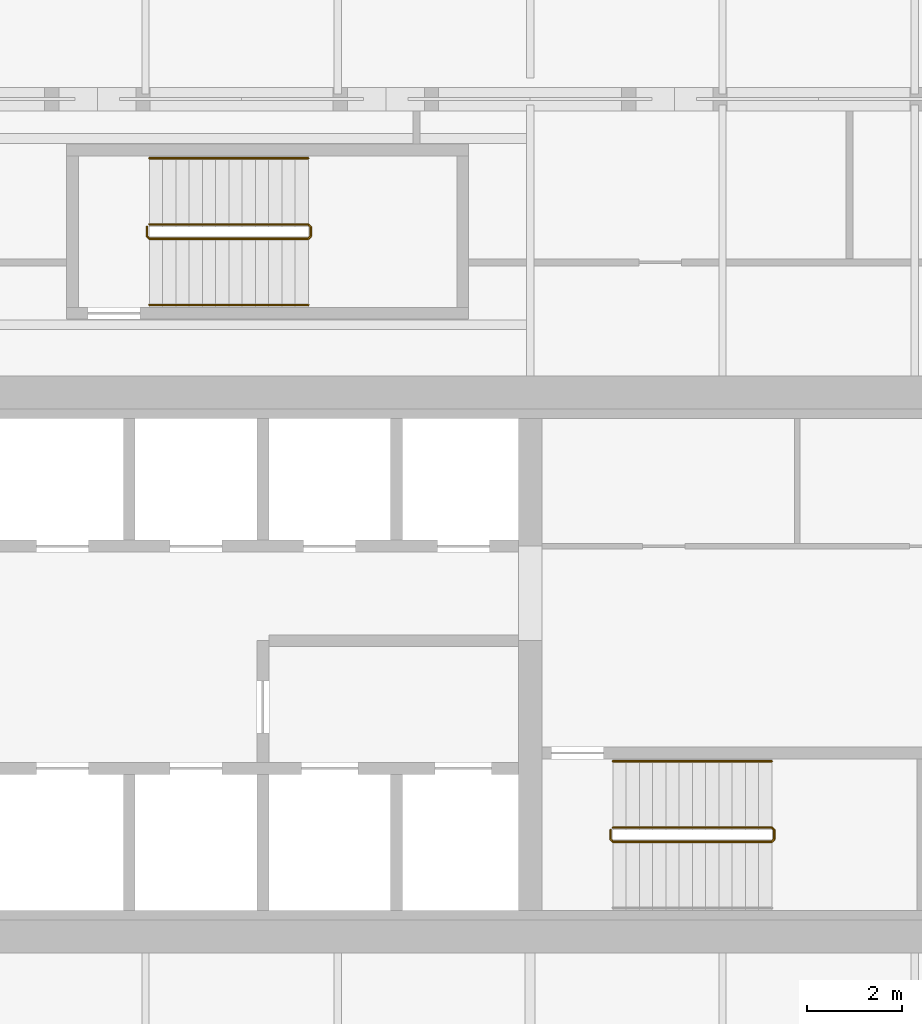
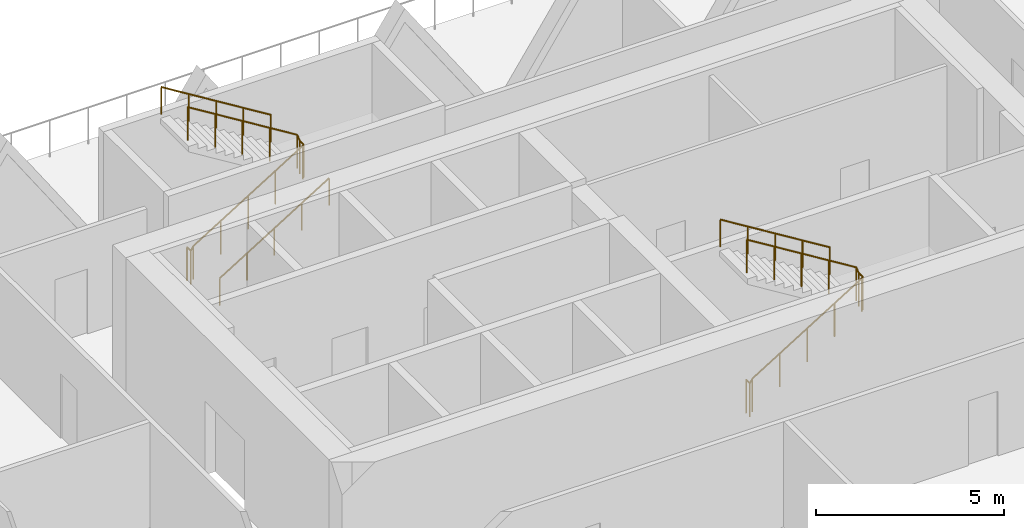
# One storey, part 21 of 21: 5 railings.
"""IFC4 building model written with IfcOpenShell, lengths in metres."""

from ifc_helpers import new_model, si_unit, direction, frame, origin, origin_2d, place, context, subcontext, project, spatial, circle, extrude, material, type_object, element, save


model = new_model("IFC4")

# Units and contexts
model_context = context("Model", 3, precision=1e-05, world=origin(), true_north=direction((0.0, 1.0)))
body_context = subcontext(model_context, "Body", "Model", "MODEL_VIEW")
ifc_project = project(units=[si_unit("LENGTHUNIT", "METRE"), si_unit("AREAUNIT", "SQUARE_METRE"), si_unit("VOLUMEUNIT", "CUBIC_METRE"), si_unit("PLANEANGLEUNIT", "RADIAN"), si_unit("MASSUNIT", "GRAM", prefix="KILO")], contexts=[model_context])

# Site, building, storey
site_placement = place(None, origin())
site = spatial("IfcSite", under=ifc_project, at=site_placement, CompositionType="ELEMENT")
building_placement = place(site_placement, origin())
building = spatial("IfcBuilding", under=site, at=building_placement, Name="Tessera Gate Towers", CompositionType="ELEMENT")
storey_placement = place(building_placement, frame((0.0, 0.0, 16.800048828125)))
storey = spatial("IfcBuildingStorey", under=building, at=storey_placement, Name="L03", CompositionType="ELEMENT", Elevation=16.800048828125)

# Railings
ifc_material_1 = material(Name="Steel 350W", Category="steel")
railing_type_1 = type_object("IfcRailingType", Name="STAIR GUARD 1100", PredefinedType="GUARDRAIL", material=ifc_material_1)
railing_1_placement = place(storey_placement, frame((111.5, 39.199951171875, 0.0)))
element("IfcRailing", 1, at=railing_1_placement, inside=storey, type_object=railing_type_1, Name="L03 ST6 stair guard 1", PredefinedType="GUARDRAIL", context=body_context, shape_type="SweptSolid", body=[
    extrude(circle(Radius=0.02392578125, at=origin_2d()), frame((0.0, 0.0, 1.076171875), z_axis=(0.0, -1.0, 0.0), x_axis=(1.0, 0.0, 0.0)), (0.0, 0.0, 1.0), 0.199951171875),
    extrude(circle(Radius=0.02392578125, at=origin_2d()), frame((0.0, -0.199951171875, 1.076171875), z_axis=(0.267629722418, -0.267629722418, 0.925607186314), x_axis=(0.707106781187, 0.707106781187, 0.0)), (0.0, 0.0, 1.0), 0.18701171875),
    extrude(circle(Radius=0.02392578125, at=origin_2d()), frame((0.050048828125, -0.25, 1.2490234375), z_axis=(0.850606129759, 0.0, 0.525803396734), x_axis=(0.0, 1.0, 0.0)), (0.0, 0.0, 1.0), 3.949951171875),
    extrude(circle(Radius=0.02392578125, at=origin_2d()), frame((3.409912109375, -0.25, 3.326171875), z_axis=(0.707106781187, 0.707106781187, 0.0), x_axis=(-0.707106781187, 0.707106781187, 0.0)), (0.0, 0.0, 1.0), 0.07080078125),
    extrude(circle(Radius=0.02392578125, at=origin_2d()), frame((3.4599609375, -0.199951171875, 3.326171875), z_axis=(0.0, 1.0, 0.0), x_axis=(-1.0, 0.0, 0.0)), (0.0, 0.0, 1.0), 0.199951171875),
    extrude(circle(Radius=0.02392578125, at=origin_2d()), frame((3.4599609375, 0.0, 3.326171875), z_axis=(-0.267629722418, 0.267629722418, 0.925607186314), x_axis=(-0.707106781187, -0.707106781187, 0.0)), (0.0, 0.0, 1.0), 0.18701171875),
    extrude(circle(Radius=0.02392578125, at=origin_2d()), frame((3.409912109375, 0.050048828125, 3.4990234375), z_axis=(-0.850606129759, 0.0, 0.525803396734), x_axis=(0.0, -1.0, 0.0)), (0.0, 0.0, 1.0), 3.949951171875),
    extrude(circle(Radius=0.02099609375, at=origin_2d()), origin(), (0.0, 0.0, 1.0), 1.052001953125),
    extrude(circle(Radius=0.02099609375, at=origin_2d()), frame((0.0, -0.199951171875, 0.0)), (0.0, 0.0, 1.0), 1.052001953125),
    extrude(circle(Radius=0.02099609375, at=origin_2d()), frame((0.050048828125, -0.25, 0.173095703125)), (0.0, 0.0, 1.0), 1.052001953125),
    extrude(circle(Radius=0.02099609375, at=origin_2d()), frame((0.89013671875, -0.25, 0.6923828125)), (0.0, 0.0, 1.0), 1.052001953125),
    extrude(circle(Radius=0.02099609375, at=origin_2d()), frame((1.72998046875, -0.25, 1.21142578125)), (0.0, 0.0, 1.0), 1.052001953125),
    extrude(circle(Radius=0.02099609375, at=origin_2d()), frame((2.56982421875, -0.25, 1.730712890625)), (0.0, 0.0, 1.0), 1.052001953125),
    extrude(circle(Radius=0.02099609375, at=origin_2d()), frame((3.409912109375, -0.25, 2.25)), (0.0, 0.0, 1.0), 1.052001953125),
    extrude(circle(Radius=0.02099609375, at=origin_2d()), frame((3.4599609375, -0.199951171875, 2.25)), (0.0, 0.0, 1.0), 1.052001953125),
    extrude(circle(Radius=0.02099609375, at=origin_2d()), frame((3.4599609375, 0.0, 2.25)), (0.0, 0.0, 1.0), 1.052001953125),
    extrude(circle(Radius=0.02099609375, at=origin_2d()), frame((3.409912109375, 0.050048828125, 2.423095703125)), (0.0, 0.0, 1.0), 1.052001953125),
    extrude(circle(Radius=0.02099609375, at=origin_2d()), frame((2.56982421875, 0.050048828125, 2.9423828125)), (0.0, 0.0, 1.0), 1.052001953125),
    extrude(circle(Radius=0.02099609375, at=origin_2d()), frame((1.72998046875, 0.050048828125, 3.46142578125)), (0.0, 0.0, 1.0), 1.052001953125),
    extrude(circle(Radius=0.02099609375, at=origin_2d()), frame((0.89013671875, 0.050048828125, 3.980712890625)), (0.0, 0.0, 1.0), 1.052001953125),
    extrude(circle(Radius=0.02099609375, at=origin_2d()), frame((0.050048828125, 0.050048828125, 4.5)), (0.0, 0.0, 1.0), 1.052001953125),
])
railing_2_placement = place(storey_placement, frame((101.699951171875, 51.949951171875, 0.0)))
element("IfcRailing", 2, at=railing_2_placement, inside=storey, type_object=railing_type_1, Name="L03 ST7 stair guard 1", PredefinedType="GUARDRAIL", context=body_context, shape_type="SweptSolid", body=[
    extrude(circle(Radius=0.02392578125, at=origin_2d()), frame((0.0, 0.0, 1.076171875), z_axis=(0.0, -1.0, 0.0), x_axis=(1.0, 0.0, 0.0)), (0.0, 0.0, 1.0), 0.199951171875),
    extrude(circle(Radius=0.02392578125, at=origin_2d()), frame((0.0, -0.199951171875, 1.076171875), z_axis=(0.267629722418, -0.267629722418, 0.925607186314), x_axis=(0.707106781187, 0.707106781187, 0.0)), (0.0, 0.0, 1.0), 0.18701171875),
    extrude(circle(Radius=0.02392578125, at=origin_2d()), frame((0.050048828125, -0.25, 1.2490234375), z_axis=(0.850623216509, 0.0, 0.525775754039), x_axis=(0.0, 1.0, 0.0)), (0.0, 0.0, 1.0), 3.9501953125),
    extrude(circle(Radius=0.02392578125, at=origin_2d()), frame((3.41015625, -0.25, 3.326171875), z_axis=(0.705375805398, 0.708833529934, 0.0), x_axis=(-0.708833529934, 0.705375805398, 0.0)), (0.0, 0.0, 1.0), 0.070556640625),
    extrude(circle(Radius=0.02392578125, at=origin_2d()), frame((3.4599609375, -0.199951171875, 3.326171875), z_axis=(0.0, 1.0, 0.0), x_axis=(-1.0, 0.0, 0.0)), (0.0, 0.0, 1.0), 0.199951171875),
    extrude(circle(Radius=0.02392578125, at=origin_2d()), frame((3.4599609375, 0.0, 3.326171875), z_axis=(-0.266417085129, 0.267723051232, 0.925929967433), x_axis=(-0.708833529934, -0.705375805398, 0.0)), (0.0, 0.0, 1.0), 0.18701171875),
    extrude(circle(Radius=0.02392578125, at=origin_2d()), frame((3.41015625, 0.050048828125, 3.4990234375), z_axis=(-0.850623216509, 0.0, 0.525775754039), x_axis=(0.0, -1.0, 0.0)), (0.0, 0.0, 1.0), 3.9501953125),
    extrude(circle(Radius=0.02099609375, at=origin_2d()), origin(), (0.0, 0.0, 1.0), 1.052001953125),
    extrude(circle(Radius=0.02099609375, at=origin_2d()), frame((0.0, -0.199951171875, 0.0)), (0.0, 0.0, 1.0), 1.052001953125),
    extrude(circle(Radius=0.02099609375, at=origin_2d()), frame((0.050048828125, -0.25, 0.173095703125)), (0.0, 0.0, 1.0), 1.052001953125),
    extrude(circle(Radius=0.02099609375, at=origin_2d()), frame((0.89013671875, -0.25, 0.6923828125)), (0.0, 0.0, 1.0), 1.052001953125),
    extrude(circle(Radius=0.02099609375, at=origin_2d()), frame((1.72998046875, -0.25, 1.21142578125)), (0.0, 0.0, 1.0), 1.052001953125),
    extrude(circle(Radius=0.02099609375, at=origin_2d()), frame((2.570068359375, -0.25, 1.730712890625)), (0.0, 0.0, 1.0), 1.052001953125),
    extrude(circle(Radius=0.02099609375, at=origin_2d()), frame((3.41015625, -0.25, 2.25)), (0.0, 0.0, 1.0), 1.052001953125),
    extrude(circle(Radius=0.02099609375, at=origin_2d()), frame((3.4599609375, -0.199951171875, 2.25)), (0.0, 0.0, 1.0), 1.052001953125),
    extrude(circle(Radius=0.02099609375, at=origin_2d()), frame((3.4599609375, 0.0, 2.25)), (0.0, 0.0, 1.0), 1.052001953125),
    extrude(circle(Radius=0.02099609375, at=origin_2d()), frame((3.41015625, 0.050048828125, 2.423095703125)), (0.0, 0.0, 1.0), 1.052001953125),
    extrude(circle(Radius=0.02099609375, at=origin_2d()), frame((2.570068359375, 0.050048828125, 2.9423828125)), (0.0, 0.0, 1.0), 1.052001953125),
    extrude(circle(Radius=0.02099609375, at=origin_2d()), frame((1.72998046875, 0.050048828125, 3.46142578125)), (0.0, 0.0, 1.0), 1.052001953125),
    extrude(circle(Radius=0.02099609375, at=origin_2d()), frame((0.89013671875, 0.050048828125, 3.980712890625)), (0.0, 0.0, 1.0), 1.052001953125),
    extrude(circle(Radius=0.02099609375, at=origin_2d()), frame((0.050048828125, 0.050048828125, 4.5)), (0.0, 0.0, 1.0), 1.052001953125),
])
ifc_material_2 = material(Name="Steel 350W", Category="steel")
railing_type_2 = type_object("IfcRailingType", Name="STAIR HANDRAIL 900", PredefinedType="HANDRAIL", material=ifc_material_2)
railing_3_placement = place(storey_placement, frame((114.909912109375, 40.64990234375, 2.423095703125)))
element("IfcRailing", 3, at=railing_3_placement, inside=storey, type_object=railing_type_2, Name="L03 ST6 stair handrail 2", PredefinedType="HANDRAIL", context=body_context, shape_type="SweptSolid", body=[
    extrude(circle(Radius=0.02392578125, at=origin_2d()), frame((0.0, 0.0, 0.8759765625), z_axis=(-0.850606129759, 0.0, 0.525803396734), x_axis=(0.0, -1.0, 0.0)), (0.0, 0.0, 1.0), 3.949951171875),
    extrude(circle(Radius=0.02099609375, at=origin_2d()), origin(), (0.0, 0.0, 1.0), 0.851806640625),
    extrude(circle(Radius=0.02099609375, at=origin_2d()), frame((-0.83984375, 0.0, 0.519287109375)), (0.0, 0.0, 1.0), 0.851806640625),
    extrude(circle(Radius=0.02099609375, at=origin_2d()), frame((-1.679931640625, 0.0, 1.03857421875)), (0.0, 0.0, 1.0), 0.851806640625),
    extrude(circle(Radius=0.02099609375, at=origin_2d()), frame((-2.52001953125, 0.0, 1.5576171875)), (0.0, 0.0, 1.0), 0.851806640625),
    extrude(circle(Radius=0.02099609375, at=origin_2d()), frame((-3.35986328125, 0.0, 2.076904296875)), (0.0, 0.0, 1.0), 0.851806640625),
])
railing_4_placement = place(storey_placement, frame((101.75, 50.300048828125, 0.173095703125)))
element("IfcRailing", 4, at=railing_4_placement, inside=storey, type_object=railing_type_2, Name="L03 ST7 stair handrail 1", PredefinedType="HANDRAIL", context=body_context, shape_type="SweptSolid", body=[
    extrude(circle(Radius=0.02392578125, at=origin_2d()), frame((0.0, 0.0, 0.8759765625), z_axis=(0.850623216509, 0.0, 0.525775754039), x_axis=(0.0, 1.0, 0.0)), (0.0, 0.0, 1.0), 3.9501953125),
    extrude(circle(Radius=0.02099609375, at=origin_2d()), origin(), (0.0, 0.0, 1.0), 0.851806640625),
    extrude(circle(Radius=0.02099609375, at=origin_2d()), frame((0.840087890625, 0.0, 0.519287109375)), (0.0, 0.0, 1.0), 0.851806640625),
    extrude(circle(Radius=0.02099609375, at=origin_2d()), frame((1.68017578125, 0.0, 1.03857421875)), (0.0, 0.0, 1.0), 0.851806640625),
    extrude(circle(Radius=0.02099609375, at=origin_2d()), frame((2.52001953125, 0.0, 1.5576171875)), (0.0, 0.0, 1.0), 0.851806640625),
    extrude(circle(Radius=0.02099609375, at=origin_2d()), frame((3.360107421875, 0.0, 2.076904296875)), (0.0, 0.0, 1.0), 0.851806640625),
])
railing_5_placement = place(storey_placement, frame((105.110107421875, 53.39990234375, 2.423095703125)))
element("IfcRailing", 5, at=railing_5_placement, inside=storey, type_object=railing_type_2, Name="L03 ST7 stair handrail 2", PredefinedType="HANDRAIL", context=body_context, shape_type="SweptSolid", body=[
    extrude(circle(Radius=0.02392578125, at=origin_2d()), frame((0.0, 0.0, 0.8759765625), z_axis=(-0.850623216509, 0.0, 0.525775754039), x_axis=(0.0, -1.0, 0.0)), (0.0, 0.0, 1.0), 3.9501953125),
    extrude(circle(Radius=0.02099609375, at=origin_2d()), origin(), (0.0, 0.0, 1.0), 0.851806640625),
    extrude(circle(Radius=0.02099609375, at=origin_2d()), frame((-0.840087890625, 0.0, 0.519287109375)), (0.0, 0.0, 1.0), 0.851806640625),
    extrude(circle(Radius=0.02099609375, at=origin_2d()), frame((-1.68017578125, 0.0, 1.03857421875)), (0.0, 0.0, 1.0), 0.851806640625),
    extrude(circle(Radius=0.02099609375, at=origin_2d()), frame((-2.52001953125, 0.0, 1.5576171875)), (0.0, 0.0, 1.0), 0.851806640625),
    extrude(circle(Radius=0.02099609375, at=origin_2d()), frame((-3.360107421875, 0.0, 2.076904296875)), (0.0, 0.0, 1.0), 0.851806640625),
])

save(model, "model.ifc")
